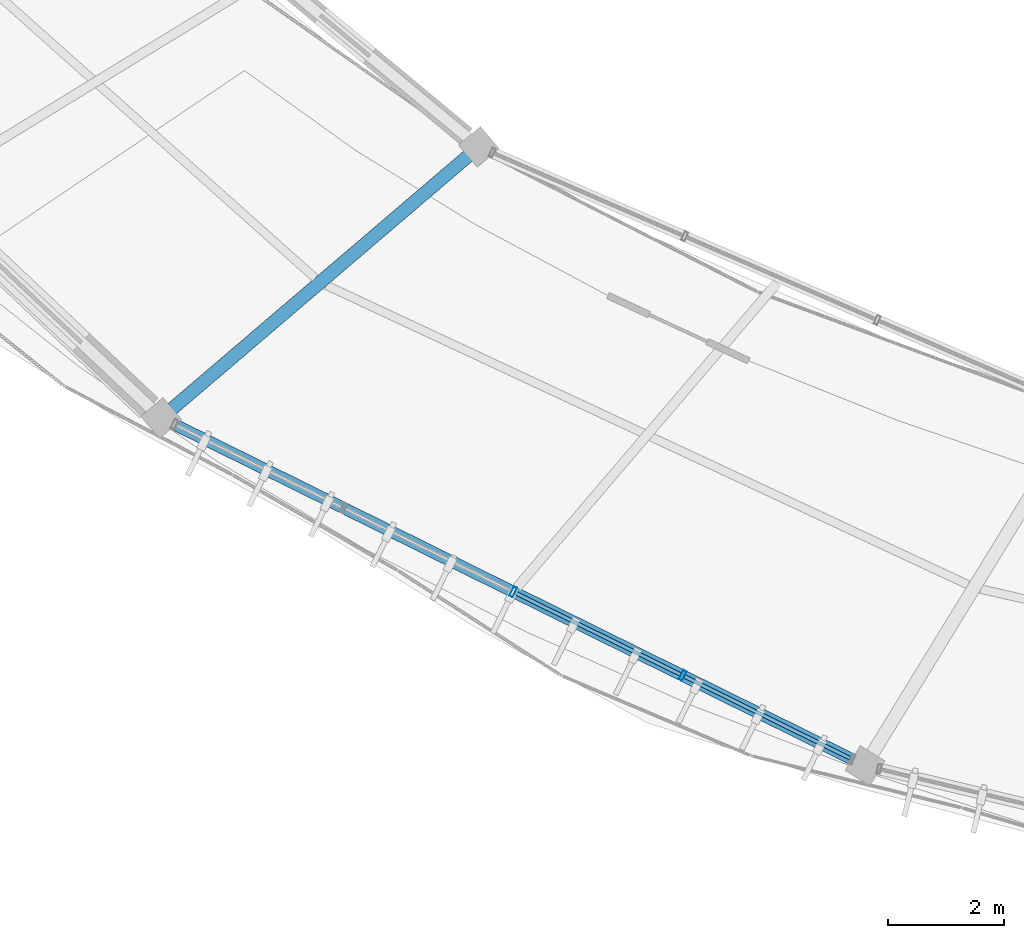
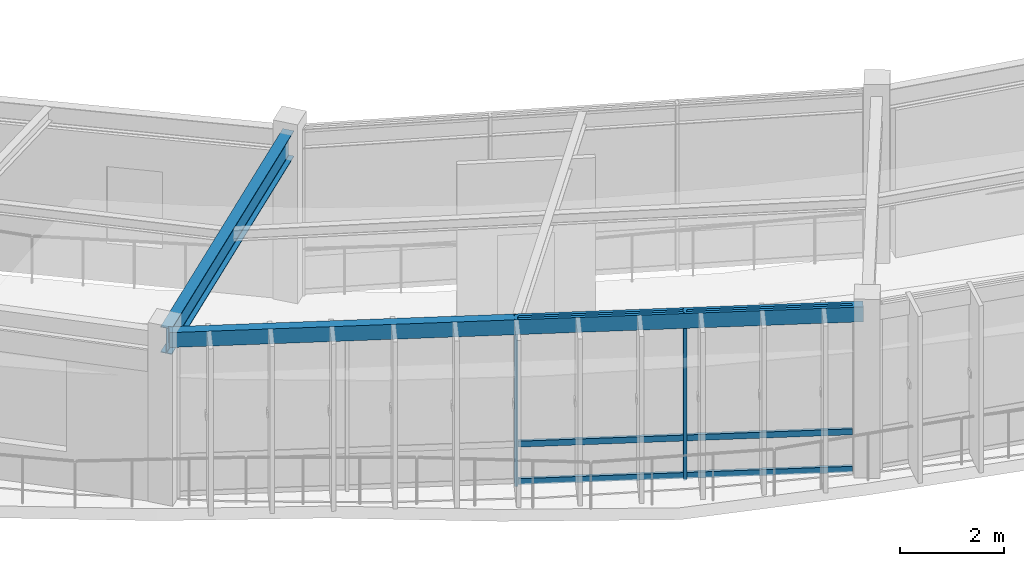
# One storey, part 3 of 78: 8 members, 2 beams, 1 element without a shape of its own.
"""IFC4 building model written with IfcOpenShell, lengths in metres."""

from ifc_helpers import new_model, si_unit, direction, frame, origin, origin_2d, place, context, subcontext, project, spatial, hollow_rectangle, i_section, extrude, material, material_profile, profile_set, type_object, element, aggregate, save


model = new_model("IFC4")

# Units and contexts
model_context = context("Model", 3, precision=1e-05, world=origin(), true_north=direction((0.0, 1.0)))
body_context = subcontext(model_context, "Body", "Model", "MODEL_VIEW")
ifc_project = project(units=[si_unit("LENGTHUNIT", "METRE"), si_unit("AREAUNIT", "SQUARE_METRE"), si_unit("VOLUMEUNIT", "CUBIC_METRE"), si_unit("PLANEANGLEUNIT", "RADIAN"), si_unit("MASSUNIT", "GRAM", prefix="KILO"), si_unit("THERMODYNAMICTEMPERATUREUNIT", "KELVIN"), si_unit("POWERUNIT", "WATT")], contexts=[model_context])

# Site, building, storey
site_placement = place(None, origin())
site = spatial("IfcSite", under=ifc_project, at=site_placement, CompositionType="ELEMENT")
building_placement = place(site_placement, origin())
building = spatial("IfcBuilding", under=site, at=building_placement, Name="Darbajah Civic Hall", CompositionType="ELEMENT")
storey_placement = place(building_placement, frame((0.0, 0.0, 26.39990234375)))
storey = spatial("IfcBuildingStorey", under=building, at=storey_placement, Name="L06", CompositionType="ELEMENT", Elevation=26.39990234375)

# Curtain wall, members
ifc_material_1 = material(Name="Anodised Bronze Aluminium and Low-E Glazing", Category="aluminium")
curtain_wall_type = type_object("IfcCurtainWallType", Name="Unitised Curtain Wall CW-83 13000x3900", PredefinedType="USERDEFINED", material=ifc_material_1)
curtain_wall_placement = place(storey_placement, origin())
curtain_wall = element("IfcCurtainWall", 1, at=curtain_wall_placement, inside=storey, type_object=curtain_wall_type, Name="L06 unitised curtain wall CW-V1O-L06-12", ObjectType="UNITISED CURTAIN WALL", PredefinedType="USERDEFINED")
ifc_material_2 = material(Name="Anodised Bronze Aluminium", Category="aluminium")
ifc_material_profile_1 = material_profile(ifc_material_2, hollow_rectangle(XDim=0.06494140625, YDim=0.179931640625, WallThickness=0.00390625, at=origin_2d()), Name="ALU MULLION 65x180")
ifc_profile_set_1 = profile_set([ifc_material_profile_1], Name="Anodised Bronze Aluminium")
member_type_1 = type_object("IfcMemberType", Name="ALU MULLION 65x180", PredefinedType="MULLION", material=ifc_profile_set_1)
member_1_placement = place(storey_placement, frame((56.385986328125, 67.644287109375, 0.0), z_axis=(0.0, 0.0, 1.0), x_axis=(0.89656374724, -0.442914717678, 0.0)))
member_1 = element("IfcMember", 2, at=member_1_placement, type_object=member_type_1, Name="CW-V1O-L06-12 mullion 3", PredefinedType="MULLION", context=body_context, shape_type="SweptSolid", body=[
    extrude(hollow_rectangle(XDim=0.06494140625, YDim=0.179931640625, WallThickness=0.00390625, at=origin_2d()), origin(), (0.0, 0.0, 1.0), 3.920166015625),
])
member_2_placement = place(storey_placement, frame((59.306396484375, 66.201416015625, 0.0), z_axis=(0.0, 0.0, 1.0), x_axis=(0.89656374724, -0.442914717678, 0.0)))
member_2 = element("IfcMember", 3, at=member_2_placement, type_object=member_type_1, Name="CW-V1O-L06-12 mullion 4", PredefinedType="MULLION", context=body_context, shape_type="SweptSolid", body=[
    extrude(hollow_rectangle(XDim=0.06494140625, YDim=0.179931640625, WallThickness=0.00390625, at=origin_2d()), origin(), (0.0, 0.0, 1.0), 3.920166015625),
])
ifc_material_profile_2 = material_profile(ifc_material_2, hollow_rectangle(XDim=0.06494140625, YDim=0.139892578125, WallThickness=0.00341796875, at=origin_2d()), Name="ALU TRANSOM 65x140")
ifc_profile_set_2 = profile_set([ifc_material_profile_2], Name="Anodised Bronze Aluminium")
member_type_2 = type_object("IfcMemberType", Name="ALU TRANSOM 65x140", PredefinedType="USERDEFINED", material=ifc_profile_set_2)
member_3_placement = place(storey_placement, frame((56.419677734375, 67.627685546875, 0.070068359375), z_axis=(0.896534601276, -0.442973711087, 0.0), x_axis=(0.442973711087, 0.896534601276, 0.0)))
member_3 = element("IfcMember", 4, at=member_3_placement, type_object=member_type_2, Name="CW-V1O-L06-12 transom 3.1", ObjectType="TRANSOM", PredefinedType="USERDEFINED", context=body_context, shape_type="SweptSolid", body=[
    extrude(hollow_rectangle(XDim=0.06494140625, YDim=0.139892578125, WallThickness=0.00341796875, at=origin_2d()), origin(), (0.0, 0.0, 1.0), 3.182373046875),
])
member_4_placement = place(storey_placement, frame((56.419677734375, 67.627685546875, 0.9501953125), z_axis=(0.896534601276, -0.442973711087, 0.0), x_axis=(0.442973711087, 0.896534601276, 0.0)))
member_4 = element("IfcMember", 5, at=member_4_placement, type_object=member_type_2, Name="CW-V1O-L06-12 transom 3.2", ObjectType="TRANSOM", PredefinedType="USERDEFINED", context=body_context, shape_type="SweptSolid", body=[
    extrude(hollow_rectangle(XDim=0.06494140625, YDim=0.139892578125, WallThickness=0.00341796875, at=origin_2d()), origin(), (0.0, 0.0, 1.0), 3.182373046875),
])
member_5_placement = place(storey_placement, frame((56.419677734375, 67.627685546875, 3.85009765625), z_axis=(0.896534601276, -0.442973711087, 0.0), x_axis=(0.442973711087, 0.896534601276, 0.0)))
member_5 = element("IfcMember", 6, at=member_5_placement, type_object=member_type_2, Name="CW-V1O-L06-12 transom 3.3", ObjectType="TRANSOM", PredefinedType="USERDEFINED", context=body_context, shape_type="SweptSolid", body=[
    extrude(hollow_rectangle(XDim=0.06494140625, YDim=0.139892578125, WallThickness=0.00341796875, at=origin_2d()), origin(), (0.0, 0.0, 1.0), 3.182373046875),
])
member_6_placement = place(storey_placement, frame((59.33984375, 66.184814453125, 0.070068359375), z_axis=(0.896580117294, -0.442881579288, 0.0), x_axis=(0.442881579288, 0.896580117294, 0.0)))
member_6 = element("IfcMember", 7, at=member_6_placement, type_object=member_type_2, Name="CW-V1O-L06-12 transom 4.1", ObjectType="TRANSOM", PredefinedType="USERDEFINED", context=body_context, shape_type="SweptSolid", body=[
    extrude(hollow_rectangle(XDim=0.06494140625, YDim=0.139892578125, WallThickness=0.00341796875, at=origin_2d()), origin(), (0.0, 0.0, 1.0), 3.182373046875),
])
member_7_placement = place(storey_placement, frame((59.33984375, 66.184814453125, 0.9501953125), z_axis=(0.896580117294, -0.442881579288, 0.0), x_axis=(0.442881579288, 0.896580117294, 0.0)))
member_7 = element("IfcMember", 8, at=member_7_placement, type_object=member_type_2, Name="CW-V1O-L06-12 transom 4.2", ObjectType="TRANSOM", PredefinedType="USERDEFINED", context=body_context, shape_type="SweptSolid", body=[
    extrude(hollow_rectangle(XDim=0.06494140625, YDim=0.139892578125, WallThickness=0.00341796875, at=origin_2d()), origin(), (0.0, 0.0, 1.0), 3.182373046875),
])
member_8_placement = place(storey_placement, frame((59.33984375, 66.184814453125, 3.85009765625), z_axis=(0.896580117294, -0.442881579288, 0.0), x_axis=(0.442881579288, 0.896580117294, 0.0)))
member_8 = element("IfcMember", 9, at=member_8_placement, type_object=member_type_2, Name="CW-V1O-L06-12 transom 4.3", ObjectType="TRANSOM", PredefinedType="USERDEFINED", context=body_context, shape_type="SweptSolid", body=[
    extrude(hollow_rectangle(XDim=0.06494140625, YDim=0.139892578125, WallThickness=0.00341796875, at=origin_2d()), origin(), (0.0, 0.0, 1.0), 3.182373046875),
])
aggregate(curtain_wall, [member_1, member_2, member_3, member_4, member_5, member_6, member_7, member_8])

# Beams
ifc_material_3 = material(Name="Steel S355JR", Category="steel")
ifc_material_profile_3 = material_profile(ifc_material_3, hollow_rectangle(XDim=0.199951171875, YDim=0.35009765625, WallThickness=0.012451171875, at=origin_2d()), Name="RHS 350x200x12.5")
ifc_profile_set_3 = profile_set([ifc_material_profile_3], Name="Steel S355JR")
beam_type_1 = type_object("IfcBeamType", Name="RHS 350x200x12.5", PredefinedType="SPANDREL", material=ifc_profile_set_3)
beam_1_placement = place(storey_placement, frame((50.39111328125, 70.60595703125, 3.7451171875), z_axis=(0.896556568061, -0.442929249731, 0.0), x_axis=(0.442929249731, 0.896556568061, 0.0)))
element("IfcBeam", 10, at=beam_1_placement, inside=storey, type_object=beam_type_1, Name="L06 beam SP-RHS350", PredefinedType="SPANDREL", context=body_context, shape_type="SweptSolid", body=[
    extrude(hollow_rectangle(XDim=0.199951171875, YDim=0.35009765625, WallThickness=0.012451171875, at=origin_2d()), origin(), (0.0, 0.0, 1.0), 13.373046875),
])
ifc_material_profile_4 = material_profile(ifc_material_3, i_section(OverallWidth=0.228271484375, OverallDepth=0.607666015625, WebThickness=0.010986328125, FlangeThickness=0.017333984375, FilletRadius=0.0126953125, at=origin_2d()), Name="UB 610x229x113")
ifc_profile_set_4 = profile_set([ifc_material_profile_4], Name="Steel S355JR")
beam_type_2 = type_object("IfcBeamType", Name="UB 610x229x113", PredefinedType="BEAM", material=ifc_profile_set_4)
beam_2_placement = place(storey_placement, frame((55.7333984375, 75.265380859375, 3.6162109375), z_axis=(-0.760413281686, -0.649439482197, 0.0), x_axis=(0.649439482197, -0.760413281686, 0.0)))
element("IfcBeam", 11, at=beam_2_placement, inside=storey, type_object=beam_type_2, Name="L06 beam SB-610", PredefinedType="BEAM", context=body_context, shape_type="SweptSolid", body=[
    extrude(i_section(OverallWidth=0.228271484375, OverallDepth=0.607666015625, WebThickness=0.010986328125, FlangeThickness=0.017333984375, FilletRadius=0.0126953125, at=origin_2d()), origin(), (0.0, 0.0, 1.0), 7.0400390625),
])

save(model, "model.ifc")
